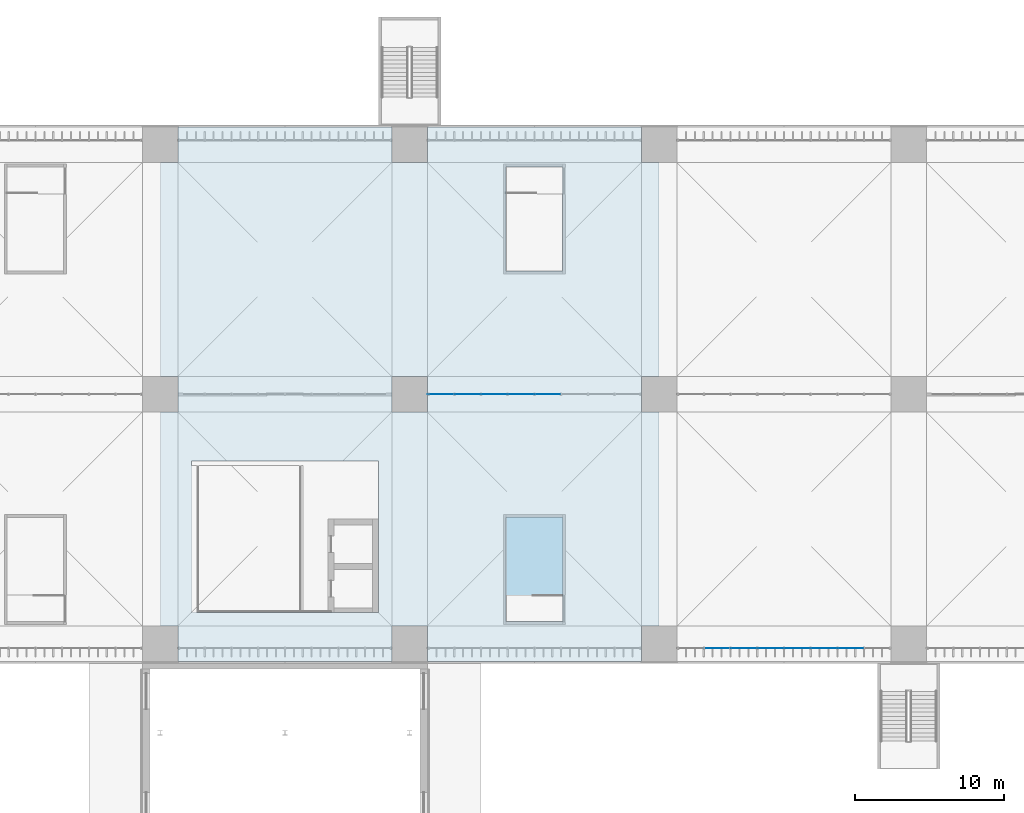
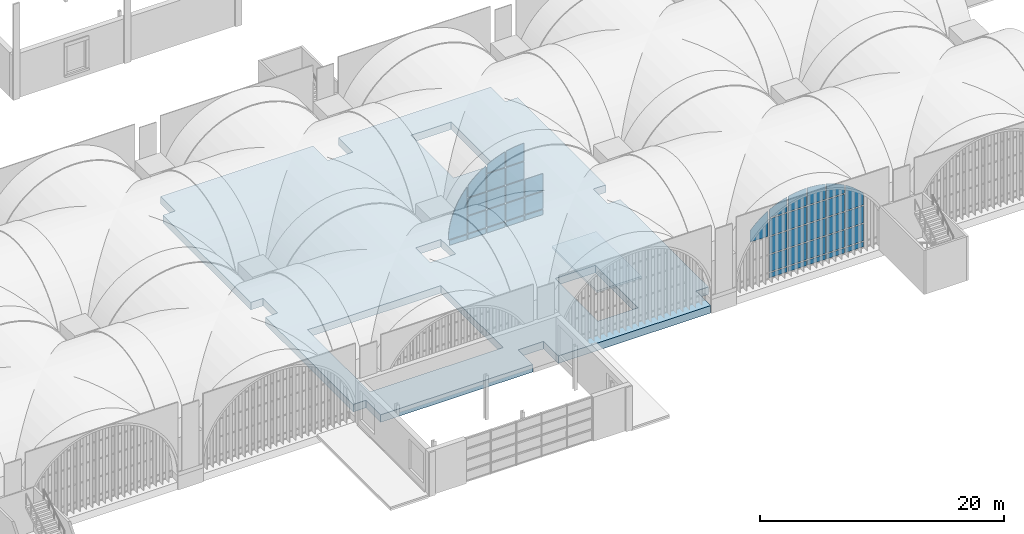
# One storey, part 84 of 169: 44 plates, 2 slabs, 2 elements without a shape of their own.
"""IFC4 building model written with IfcOpenShell, lengths in metres."""

from ifc_helpers import new_model, si_unit, direction, frame, origin, place, context, subcontext, project, spatial, polyline, outline, extrude, material, layer, layer_set, type_object, element, aggregate, save


model = new_model("IFC4")

# Units and contexts
model_context = context("Model", 3, precision=1e-05, world=origin(), true_north=direction((0.0, 1.0)))
body_context = subcontext(model_context, "Body", "Model", "MODEL_VIEW")
ifc_project = project(units=[si_unit("LENGTHUNIT", "METRE"), si_unit("AREAUNIT", "SQUARE_METRE"), si_unit("VOLUMEUNIT", "CUBIC_METRE"), si_unit("PLANEANGLEUNIT", "RADIAN"), si_unit("MASSUNIT", "GRAM", prefix="KILO")], contexts=[model_context])

# Site, building, storey
site_placement = place(None, origin())
site = spatial("IfcSite", under=ifc_project, at=site_placement, CompositionType="ELEMENT")
building_placement = place(site_placement, origin())
building = spatial("IfcBuilding", under=site, at=building_placement, Name="Verrick Yard Athletic Hall", CompositionType="ELEMENT")
storey_placement = place(building_placement, frame((0.0, 0.0, 4.39990234375)))
storey = spatial("IfcBuildingStorey", under=building, at=storey_placement, Name="L01", CompositionType="ELEMENT", Elevation=4.39990234375)

# Slab
ifc_material_1 = material(Name="Concrete 35 MPa", Category="concrete")
ifc_layer_1 = layer(ifc_material_1, 0.199951171875)
ifc_layer_set_1 = layer_set([ifc_layer_1], Name="Core roof slab 200")
slab_type_1 = type_object("IfcSlabType", Name="Core roof slab 200", PredefinedType="ROOF", material=ifc_layer_set_1)
slab_1_placement = place(storey_placement, frame((0.0, 0.0, 3.0)))
element("IfcSlab", 1, at=slab_1_placement, inside=storey, type_object=slab_type_1, Name="CORE-PS-S3-COVER", PredefinedType="ROOF", context=body_context, shape_type="SweptSolid", body=[
    extrude(outline(polyline([(113.5, 20.5), (117.699951171875, 20.5), (117.699951171875, 27.89990234375), (113.5, 27.89990234375), (113.5, 20.5)])), origin(), (0.0, 0.0, 1.0), 0.2001953125),
])

# Curtain wall, plates
ifc_material_2 = material(Name="Aluminium and glass curtain wall", Category="aluminium")
ifc_layer_2 = layer(ifc_material_2, 0.14990234375)
ifc_layer_set_2 = layer_set([ifc_layer_2], Name="Arcade glazing arch")
curtain_wall_type_1 = type_object("IfcCurtainWallType", Name="Arcade glazing arch", PredefinedType="NOTDEFINED", material=ifc_layer_set_2)
curtain_wall_1_placement = place(storey_placement, origin())
curtain_wall_1 = element("IfcCurtainWall", 2, at=curtain_wall_1_placement, inside=storey, type_object=curtain_wall_type_1, Name="Arcade glazing S6", PredefinedType="NOTDEFINED")
ifc_material_3 = material(Name="Laminated glass 28 mm", Category="glass")
ifc_layer_3 = layer(ifc_material_3, 0.028076171875)
ifc_layer_set_3 = layer_set([ifc_layer_3], Name="Curtain wall glass panel")
plate_type = type_object("IfcPlateType", Name="Curtain wall glass panel", PredefinedType="CURTAIN_PANEL", material=ifc_layer_set_3)
plate_1_placement = place(storey_placement, frame((125.199951171875, 18.89990234375, 4.30078125), z_axis=(0.0, 0.0, 1.0), x_axis=(1.0, 0.0, 0.0)))
plate_1 = element("IfcPlate", 3, at=plate_1_placement, type_object=plate_type, Name="Arcade glazing S6 panel 6", PredefinedType="CURTAIN_PANEL", context=body_context, shape_type="SweptSolid", body=[
    extrude(outline(polyline([(3.54931640625, 2.553955078125), (3.331298828125, 2.421630859375), (3.0703125, 2.247314453125), (2.81689453125, 2.0615234375), (2.572021484375, 1.86474609375), (2.335693359375, 1.65771484375), (2.10888671875, 1.4404296875), (1.8916015625, 1.213623046875), (1.850830078125, 1.1669921875), (1.850830078125, 0.0), (3.54931640625, 0.0), (3.54931640625, 2.553955078125)])), frame((0.0, 0.01416015625, 0.0), z_axis=(0.0, -1.0, 0.0), x_axis=(1.0, 0.0, 0.0)), (0.0, 0.0, 1.0), 0.028076171875),
])
plate_2_placement = place(storey_placement, frame((125.199951171875, 18.89990234375, 0.101806640625), z_axis=(0.0, 0.0, 1.0), x_axis=(1.0, 0.0, 0.0)))
plate_2 = element("IfcPlate", 4, at=plate_2_placement, type_object=plate_type, Name="Arcade glazing S6 panel 7", PredefinedType="CURTAIN_PANEL", context=body_context, shape_type="SweptSolid", body=[
    extrude(outline(polyline([(5.34912109375, 0.0), (5.34912109375, 0.49755859375), (3.65087890625, 0.49755859375), (3.65087890625, 0.0), (5.34912109375, 0.0)])), frame((0.0, 0.01416015625, 0.0), z_axis=(0.0, -1.0, 0.0), x_axis=(1.0, 0.0, 0.0)), (0.0, 0.0, 1.0), 0.028076171875),
])
plate_3_placement = place(storey_placement, frame((125.199951171875, 18.89990234375, 0.700927734375), z_axis=(0.0, 0.0, 1.0), x_axis=(1.0, 0.0, 0.0)))
plate_3 = element("IfcPlate", 5, at=plate_3_placement, type_object=plate_type, Name="Arcade glazing S6 panel 8", PredefinedType="CURTAIN_PANEL", context=body_context, shape_type="SweptSolid", body=[
    extrude(outline(polyline([(5.34912109375, 0.0), (5.34912109375, 1.698486328125), (3.65087890625, 1.698486328125), (3.65087890625, 0.0), (5.34912109375, 0.0)])), frame((0.0, 0.01416015625, 0.0), z_axis=(0.0, -1.0, 0.0), x_axis=(1.0, 0.0, 0.0)), (0.0, 0.0, 1.0), 0.028076171875),
])
plate_4_placement = place(storey_placement, frame((125.199951171875, 18.89990234375, 2.5009765625), z_axis=(0.0, 0.0, 1.0), x_axis=(1.0, 0.0, 0.0)))
plate_4 = element("IfcPlate", 6, at=plate_4_placement, type_object=plate_type, Name="Arcade glazing S6 panel 9", PredefinedType="CURTAIN_PANEL", context=body_context, shape_type="SweptSolid", body=[
    extrude(outline(polyline([(5.34912109375, 0.0), (5.34912109375, 1.6982421875), (3.65087890625, 1.6982421875), (3.65087890625, 0.0), (5.34912109375, 0.0)])), frame((0.0, 0.01416015625, 0.0), z_axis=(0.0, -1.0, 0.0), x_axis=(1.0, 0.0, 0.0)), (0.0, 0.0, 1.0), 0.028076171875),
])
plate_5_placement = place(storey_placement, frame((125.199951171875, 18.89990234375, 4.30078125), z_axis=(0.0, 0.0, 1.0), x_axis=(1.0, 0.0, 0.0)))
plate_5 = element("IfcPlate", 7, at=plate_5_placement, type_object=plate_type, Name="Arcade glazing S6 panel 10", PredefinedType="CURTAIN_PANEL", context=body_context, shape_type="SweptSolid", body=[
    extrude(outline(polyline([(5.34912109375, 0.0), (5.34912109375, 1.698486328125), (3.65087890625, 1.698486328125), (3.65087890625, 0.0), (5.34912109375, 0.0)])), frame((0.0, 0.01416015625, 0.0), z_axis=(0.0, -1.0, 0.0), x_axis=(1.0, 0.0, 0.0)), (0.0, 0.0, 1.0), 0.028076171875),
])
plate_6_placement = place(storey_placement, frame((125.199951171875, 18.89990234375, 6.100830078125), z_axis=(0.0, 0.0, 1.0), x_axis=(1.0, 0.0, 0.0)))
plate_6 = element("IfcPlate", 8, at=plate_6_placement, type_object=plate_type, Name="Arcade glazing S6 panel 11", PredefinedType="CURTAIN_PANEL", context=body_context, shape_type="SweptSolid", body=[
    extrude(outline(polyline([(5.34912109375, 1.507080078125), (5.33642578125, 1.50390625), (5.034912109375, 1.416015625), (4.737548828125, 1.315185546875), (4.444580078125, 1.201171875), (4.156982421875, 1.07470703125), (3.87548828125, 0.935791015625), (3.65087890625, 0.8125), (3.65087890625, 0.0), (5.34912109375, 0.0), (5.34912109375, 1.507080078125)])), frame((0.0, 0.01416015625, 0.0), z_axis=(0.0, -1.0, 0.0), x_axis=(1.0, 0.0, 0.0)), (0.0, 0.0, 1.0), 0.028076171875),
])
plate_7_placement = place(storey_placement, frame((125.199951171875, 18.89990234375, 0.101806640625), z_axis=(0.0, 0.0, 1.0), x_axis=(1.0, 0.0, 0.0)))
plate_7 = element("IfcPlate", 9, at=plate_7_placement, type_object=plate_type, Name="Arcade glazing S6 panel 12", PredefinedType="CURTAIN_PANEL", context=body_context, shape_type="SweptSolid", body=[
    extrude(outline(polyline([(7.149169921875, 0.0), (7.149169921875, 0.49755859375), (5.45068359375, 0.49755859375), (5.45068359375, 0.0), (7.149169921875, 0.0)])), frame((0.0, 0.01416015625, 0.0), z_axis=(0.0, -1.0, 0.0), x_axis=(1.0, 0.0, 0.0)), (0.0, 0.0, 1.0), 0.028076171875),
])
plate_8_placement = place(storey_placement, frame((125.199951171875, 18.89990234375, 0.700927734375), z_axis=(0.0, 0.0, 1.0), x_axis=(1.0, 0.0, 0.0)))
plate_8 = element("IfcPlate", 10, at=plate_8_placement, type_object=plate_type, Name="Arcade glazing S6 panel 13", PredefinedType="CURTAIN_PANEL", context=body_context, shape_type="SweptSolid", body=[
    extrude(outline(polyline([(7.149169921875, 0.0), (7.149169921875, 1.698486328125), (5.45068359375, 1.698486328125), (5.45068359375, 0.0), (7.149169921875, 0.0)])), frame((0.0, 0.01416015625, 0.0), z_axis=(0.0, -1.0, 0.0), x_axis=(1.0, 0.0, 0.0)), (0.0, 0.0, 1.0), 0.028076171875),
])
plate_9_placement = place(storey_placement, frame((125.199951171875, 18.89990234375, 2.5009765625), z_axis=(0.0, 0.0, 1.0), x_axis=(1.0, 0.0, 0.0)))
plate_9 = element("IfcPlate", 11, at=plate_9_placement, type_object=plate_type, Name="Arcade glazing S6 panel 14", PredefinedType="CURTAIN_PANEL", context=body_context, shape_type="SweptSolid", body=[
    extrude(outline(polyline([(7.149169921875, 0.0), (7.149169921875, 1.6982421875), (5.45068359375, 1.6982421875), (5.45068359375, 0.0), (7.149169921875, 0.0)])), frame((0.0, 0.01416015625, 0.0), z_axis=(0.0, -1.0, 0.0), x_axis=(1.0, 0.0, 0.0)), (0.0, 0.0, 1.0), 0.028076171875),
])
plate_10_placement = place(storey_placement, frame((125.199951171875, 18.89990234375, 4.30078125), z_axis=(0.0, 0.0, 1.0), x_axis=(1.0, 0.0, 0.0)))
plate_10 = element("IfcPlate", 12, at=plate_10_placement, type_object=plate_type, Name="Arcade glazing S6 panel 15", PredefinedType="CURTAIN_PANEL", context=body_context, shape_type="SweptSolid", body=[
    extrude(outline(polyline([(7.149169921875, 0.0), (7.149169921875, 1.698486328125), (5.45068359375, 1.698486328125), (5.45068359375, 0.0), (7.149169921875, 0.0)])), frame((0.0, 0.01416015625, 0.0), z_axis=(0.0, -1.0, 0.0), x_axis=(1.0, 0.0, 0.0)), (0.0, 0.0, 1.0), 0.028076171875),
])
plate_11_placement = place(storey_placement, frame((125.199951171875, 18.89990234375, 6.100830078125), z_axis=(0.0, 0.0, 1.0), x_axis=(1.0, 0.0, 0.0)))
plate_11 = element("IfcPlate", 13, at=plate_11_placement, type_object=plate_type, Name="Arcade glazing S6 panel 16", PredefinedType="CURTAIN_PANEL", context=body_context, shape_type="SweptSolid", body=[
    extrude(outline(polyline([(7.149169921875, 1.748046875), (6.885986328125, 1.742431640625), (6.572509765625, 1.721923828125), (6.26025390625, 1.687744140625), (5.94970703125, 1.639892578125), (5.6416015625, 1.57861328125), (5.45068359375, 1.531982421875), (5.45068359375, 0.0), (7.149169921875, 0.0), (7.149169921875, 1.748046875)])), frame((0.0, 0.01416015625, 0.0), z_axis=(0.0, -1.0, 0.0), x_axis=(1.0, 0.0, 0.0)), (0.0, 0.0, 1.0), 0.028076171875),
])
plate_12_placement = place(storey_placement, frame((125.199951171875, 18.89990234375, 0.101806640625), z_axis=(0.0, 0.0, 1.0), x_axis=(1.0, 0.0, 0.0)))
plate_12 = element("IfcPlate", 14, at=plate_12_placement, type_object=plate_type, Name="Arcade glazing S6 panel 17", PredefinedType="CURTAIN_PANEL", context=body_context, shape_type="SweptSolid", body=[
    extrude(outline(polyline([(8.94921875, 0.0), (8.94921875, 0.49755859375), (7.250732421875, 0.49755859375), (7.250732421875, 0.0), (8.94921875, 0.0)])), frame((0.0, 0.01416015625, 0.0), z_axis=(0.0, -1.0, 0.0), x_axis=(1.0, 0.0, 0.0)), (0.0, 0.0, 1.0), 0.028076171875),
])
plate_13_placement = place(storey_placement, frame((125.199951171875, 18.89990234375, 0.700927734375), z_axis=(0.0, 0.0, 1.0), x_axis=(1.0, 0.0, 0.0)))
plate_13 = element("IfcPlate", 15, at=plate_13_placement, type_object=plate_type, Name="Arcade glazing S6 panel 18", PredefinedType="CURTAIN_PANEL", context=body_context, shape_type="SweptSolid", body=[
    extrude(outline(polyline([(8.94921875, 0.0), (8.94921875, 1.698486328125), (7.250732421875, 1.698486328125), (7.250732421875, 0.0), (8.94921875, 0.0)])), frame((0.0, 0.01416015625, 0.0), z_axis=(0.0, -1.0, 0.0), x_axis=(1.0, 0.0, 0.0)), (0.0, 0.0, 1.0), 0.028076171875),
])
plate_14_placement = place(storey_placement, frame((125.199951171875, 18.89990234375, 2.5009765625), z_axis=(0.0, 0.0, 1.0), x_axis=(1.0, 0.0, 0.0)))
plate_14 = element("IfcPlate", 16, at=plate_14_placement, type_object=plate_type, Name="Arcade glazing S6 panel 19", PredefinedType="CURTAIN_PANEL", context=body_context, shape_type="SweptSolid", body=[
    extrude(outline(polyline([(8.94921875, 0.0), (8.94921875, 1.6982421875), (7.250732421875, 1.6982421875), (7.250732421875, 0.0), (8.94921875, 0.0)])), frame((0.0, 0.01416015625, 0.0), z_axis=(0.0, -1.0, 0.0), x_axis=(1.0, 0.0, 0.0)), (0.0, 0.0, 1.0), 0.028076171875),
])
plate_15_placement = place(storey_placement, frame((125.199951171875, 18.89990234375, 4.30078125), z_axis=(0.0, 0.0, 1.0), x_axis=(1.0, 0.0, 0.0)))
plate_15 = element("IfcPlate", 17, at=plate_15_placement, type_object=plate_type, Name="Arcade glazing S6 panel 20", PredefinedType="CURTAIN_PANEL", context=body_context, shape_type="SweptSolid", body=[
    extrude(outline(polyline([(8.94921875, 0.0), (8.94921875, 1.698486328125), (7.250732421875, 1.698486328125), (7.250732421875, 0.0), (8.94921875, 0.0)])), frame((0.0, 0.01416015625, 0.0), z_axis=(0.0, -1.0, 0.0), x_axis=(1.0, 0.0, 0.0)), (0.0, 0.0, 1.0), 0.028076171875),
])
plate_16_placement = place(storey_placement, frame((125.199951171875, 18.89990234375, 6.100830078125), z_axis=(0.0, 0.0, 1.0), x_axis=(1.0, 0.0, 0.0)))
plate_16 = element("IfcPlate", 18, at=plate_16_placement, type_object=plate_type, Name="Arcade glazing S6 panel 21", PredefinedType="CURTAIN_PANEL", context=body_context, shape_type="SweptSolid", body=[
    extrude(outline(polyline([(8.94921875, 1.531982421875), (8.75830078125, 1.57861328125), (8.4501953125, 1.639892578125), (8.139892578125, 1.687744140625), (7.827392578125, 1.721923828125), (7.51416015625, 1.742431640625), (7.250732421875, 1.748046875), (7.250732421875, 0.0), (8.94921875, 0.0), (8.94921875, 1.531982421875)])), frame((0.0, 0.01416015625, 0.0), z_axis=(0.0, -1.0, 0.0), x_axis=(1.0, 0.0, 0.0)), (0.0, 0.0, 1.0), 0.028076171875),
])
plate_17_placement = place(storey_placement, frame((125.199951171875, 18.89990234375, 0.101806640625), z_axis=(0.0, 0.0, 1.0), x_axis=(1.0, 0.0, 0.0)))
plate_17 = element("IfcPlate", 19, at=plate_17_placement, type_object=plate_type, Name="Arcade glazing S6 panel 22", PredefinedType="CURTAIN_PANEL", context=body_context, shape_type="SweptSolid", body=[
    extrude(outline(polyline([(10.749267578125, 0.0), (10.749267578125, 0.49755859375), (9.05078125, 0.49755859375), (9.05078125, 0.0), (10.749267578125, 0.0)])), frame((0.0, 0.01416015625, 0.0), z_axis=(0.0, -1.0, 0.0), x_axis=(1.0, 0.0, 0.0)), (0.0, 0.0, 1.0), 0.028076171875),
])
plate_18_placement = place(storey_placement, frame((125.199951171875, 18.89990234375, 0.700927734375), z_axis=(0.0, 0.0, 1.0), x_axis=(1.0, 0.0, 0.0)))
plate_18 = element("IfcPlate", 20, at=plate_18_placement, type_object=plate_type, Name="Arcade glazing S6 panel 23", PredefinedType="CURTAIN_PANEL", context=body_context, shape_type="SweptSolid", body=[
    extrude(outline(polyline([(10.749267578125, 0.0), (10.749267578125, 1.698486328125), (9.05078125, 1.698486328125), (9.05078125, 0.0), (10.749267578125, 0.0)])), frame((0.0, 0.01416015625, 0.0), z_axis=(0.0, -1.0, 0.0), x_axis=(1.0, 0.0, 0.0)), (0.0, 0.0, 1.0), 0.028076171875),
])
plate_19_placement = place(storey_placement, frame((125.199951171875, 18.89990234375, 2.5009765625), z_axis=(0.0, 0.0, 1.0), x_axis=(1.0, 0.0, 0.0)))
plate_19 = element("IfcPlate", 21, at=plate_19_placement, type_object=plate_type, Name="Arcade glazing S6 panel 24", PredefinedType="CURTAIN_PANEL", context=body_context, shape_type="SweptSolid", body=[
    extrude(outline(polyline([(10.749267578125, 0.0), (10.749267578125, 1.6982421875), (9.05078125, 1.6982421875), (9.05078125, 0.0), (10.749267578125, 0.0)])), frame((0.0, 0.01416015625, 0.0), z_axis=(0.0, -1.0, 0.0), x_axis=(1.0, 0.0, 0.0)), (0.0, 0.0, 1.0), 0.028076171875),
])
plate_20_placement = place(storey_placement, frame((125.199951171875, 18.89990234375, 4.30078125), z_axis=(0.0, 0.0, 1.0), x_axis=(1.0, 0.0, 0.0)))
plate_20 = element("IfcPlate", 22, at=plate_20_placement, type_object=plate_type, Name="Arcade glazing S6 panel 25", PredefinedType="CURTAIN_PANEL", context=body_context, shape_type="SweptSolid", body=[
    extrude(outline(polyline([(10.749267578125, 0.0), (10.749267578125, 1.698486328125), (9.05078125, 1.698486328125), (9.05078125, 0.0), (10.749267578125, 0.0)])), frame((0.0, 0.01416015625, 0.0), z_axis=(0.0, -1.0, 0.0), x_axis=(1.0, 0.0, 0.0)), (0.0, 0.0, 1.0), 0.028076171875),
])
plate_21_placement = place(storey_placement, frame((125.199951171875, 18.89990234375, 6.100830078125), z_axis=(0.0, 0.0, 1.0), x_axis=(1.0, 0.0, 0.0)))
plate_21 = element("IfcPlate", 23, at=plate_21_placement, type_object=plate_type, Name="Arcade glazing S6 panel 26", PredefinedType="CURTAIN_PANEL", context=body_context, shape_type="SweptSolid", body=[
    extrude(outline(polyline([(10.749267578125, 0.8125), (10.524658203125, 0.935791015625), (10.242919921875, 1.07470703125), (9.955322265625, 1.201171875), (9.66259765625, 1.315185546875), (9.364990234375, 1.416015625), (9.0634765625, 1.50390625), (9.05078125, 1.507080078125), (9.05078125, 0.0), (10.749267578125, 0.0), (10.749267578125, 0.8125)])), frame((0.0, 0.01416015625, 0.0), z_axis=(0.0, -1.0, 0.0), x_axis=(1.0, 0.0, 0.0)), (0.0, 0.0, 1.0), 0.028076171875),
])
plate_22_placement = place(storey_placement, frame((125.199951171875, 18.89990234375, 0.101806640625), z_axis=(0.0, 0.0, 1.0), x_axis=(1.0, 0.0, 0.0)))
plate_22 = element("IfcPlate", 24, at=plate_22_placement, type_object=plate_type, Name="Arcade glazing S6 panel 27", PredefinedType="CURTAIN_PANEL", context=body_context, shape_type="SweptSolid", body=[
    extrude(outline(polyline([(12.54931640625, 0.0), (12.54931640625, 0.49755859375), (10.850830078125, 0.49755859375), (10.850830078125, 0.0), (12.54931640625, 0.0)])), frame((0.0, 0.01416015625, 0.0), z_axis=(0.0, -1.0, 0.0), x_axis=(1.0, 0.0, 0.0)), (0.0, 0.0, 1.0), 0.028076171875),
])
plate_23_placement = place(storey_placement, frame((125.199951171875, 18.89990234375, 0.700927734375), z_axis=(0.0, 0.0, 1.0), x_axis=(1.0, 0.0, 0.0)))
plate_23 = element("IfcPlate", 25, at=plate_23_placement, type_object=plate_type, Name="Arcade glazing S6 panel 28", PredefinedType="CURTAIN_PANEL", context=body_context, shape_type="SweptSolid", body=[
    extrude(outline(polyline([(12.54931640625, 0.0), (12.54931640625, 1.698486328125), (10.850830078125, 1.698486328125), (10.850830078125, 0.0), (12.54931640625, 0.0)])), frame((0.0, 0.01416015625, 0.0), z_axis=(0.0, -1.0, 0.0), x_axis=(1.0, 0.0, 0.0)), (0.0, 0.0, 1.0), 0.028076171875),
])
plate_24_placement = place(storey_placement, frame((125.199951171875, 18.89990234375, 2.5009765625), z_axis=(0.0, 0.0, 1.0), x_axis=(1.0, 0.0, 0.0)))
plate_24 = element("IfcPlate", 26, at=plate_24_placement, type_object=plate_type, Name="Arcade glazing S6 panel 29", PredefinedType="CURTAIN_PANEL", context=body_context, shape_type="SweptSolid", body=[
    extrude(outline(polyline([(12.54931640625, 0.0), (12.54931640625, 1.6982421875), (10.850830078125, 1.6982421875), (10.850830078125, 0.0), (12.54931640625, 0.0)])), frame((0.0, 0.01416015625, 0.0), z_axis=(0.0, -1.0, 0.0), x_axis=(1.0, 0.0, 0.0)), (0.0, 0.0, 1.0), 0.028076171875),
])
plate_25_placement = place(storey_placement, frame((125.199951171875, 18.89990234375, 4.30078125), z_axis=(0.0, 0.0, 1.0), x_axis=(1.0, 0.0, 0.0)))
plate_25 = element("IfcPlate", 27, at=plate_25_placement, type_object=plate_type, Name="Arcade glazing S6 panel 30", PredefinedType="CURTAIN_PANEL", context=body_context, shape_type="SweptSolid", body=[
    extrude(outline(polyline([(12.54931640625, 1.1669921875), (12.50830078125, 1.213623046875), (12.291259765625, 1.4404296875), (12.064208984375, 1.65771484375), (11.828125, 1.86474609375), (11.5830078125, 2.0615234375), (11.329833984375, 2.247314453125), (11.068603515625, 2.421630859375), (10.850830078125, 2.553955078125), (10.850830078125, 0.0), (12.54931640625, 0.0), (12.54931640625, 1.1669921875)])), frame((0.0, 0.01416015625, 0.0), z_axis=(0.0, -1.0, 0.0), x_axis=(1.0, 0.0, 0.0)), (0.0, 0.0, 1.0), 0.028076171875),
])
aggregate(curtain_wall_1, [plate_1, plate_2, plate_3, plate_4, plate_5, plate_6, plate_7, plate_8, plate_9, plate_10, plate_11, plate_12, plate_13, plate_14, plate_15, plate_16, plate_17, plate_18, plate_19, plate_20, plate_21, plate_22, plate_23, plate_24, plate_25])

ifc_layer_4 = layer(ifc_material_2, 0.14990234375)
ifc_layer_set_4 = layer_set([ifc_layer_4], Name="Concourse arch screen")
curtain_wall_type_2 = type_object("IfcCurtainWallType", Name="Concourse arch screen", PredefinedType="NOTDEFINED", material=ifc_layer_set_4)
curtain_wall_2_placement = place(storey_placement, origin())
curtain_wall_2 = element("IfcCurtainWall", 28, at=curtain_wall_2_placement, inside=storey, type_object=curtain_wall_type_2, Name="Concourse screen 5", PredefinedType="NOTDEFINED")
plate_26_placement = place(storey_placement, frame((108.39990234375, 36.0, 0.101806640625), z_axis=(0.0, 0.0, 1.0), x_axis=(1.0, 0.0, 0.0)))
plate_26 = element("IfcPlate", 29, at=plate_26_placement, type_object=plate_type, Name="Concourse screen 5 panel 1", PredefinedType="CURTAIN_PANEL", context=body_context, shape_type="SweptSolid", body=[
    extrude(outline(polyline([(1.749267578125, 0.0), (1.749267578125, 0.49755859375), (0.10205078125, 0.49755859375), (0.10205078125, 0.0), (1.749267578125, 0.0)])), frame((0.0, 0.01416015625, 0.0), z_axis=(0.0, -1.0, 0.0), x_axis=(1.0, 0.0, 0.0)), (0.0, 0.0, 1.0), 0.028076171875),
])
plate_27_placement = place(storey_placement, frame((108.39990234375, 36.0, 0.700927734375), z_axis=(0.0, 0.0, 1.0), x_axis=(1.0, 0.0, 0.0)))
plate_27 = element("IfcPlate", 30, at=plate_27_placement, type_object=plate_type, Name="Concourse screen 5 panel 2", PredefinedType="CURTAIN_PANEL", context=body_context, shape_type="SweptSolid", body=[
    extrude(outline(polyline([(1.749267578125, 4.651123046875), (1.6845703125, 4.5771484375), (1.48779296875, 4.332275390625), (1.302001953125, 4.078857421875), (1.127685546875, 3.81787109375), (0.964599609375, 3.549072265625), (0.8134765625, 3.273681640625), (0.674560546875, 2.9921875), (0.548095703125, 2.70458984375), (0.43408203125, 2.41162109375), (0.333251953125, 2.1142578125), (0.245361328125, 1.812744140625), (0.170654296875, 1.507568359375), (0.109375, 1.199462890625), (0.0615234375, 0.888916015625), (0.02734375, 0.57666015625), (0.0068359375, 0.26318359375), (0.001220703125, 0.0), (1.749267578125, 0.0), (1.749267578125, 4.651123046875)])), frame((0.0, 0.01416015625, 0.0), z_axis=(0.0, -1.0, 0.0), x_axis=(1.0, 0.0, 0.0)), (0.0, 0.0, 1.0), 0.028076171875),
])
plate_28_placement = place(storey_placement, frame((108.39990234375, 36.0, 0.101806640625), z_axis=(0.0, 0.0, 1.0), x_axis=(1.0, 0.0, 0.0)))
plate_28 = element("IfcPlate", 31, at=plate_28_placement, type_object=plate_type, Name="Concourse screen 5 panel 3", PredefinedType="CURTAIN_PANEL", context=body_context, shape_type="SweptSolid", body=[
    extrude(outline(polyline([(3.54931640625, 0.0), (3.54931640625, 0.49755859375), (1.850830078125, 0.49755859375), (1.850830078125, 0.0), (3.54931640625, 0.0)])), frame((0.0, 0.01416015625, 0.0), z_axis=(0.0, -1.0, 0.0), x_axis=(1.0, 0.0, 0.0)), (0.0, 0.0, 1.0), 0.028076171875),
])
plate_29_placement = place(storey_placement, frame((108.39990234375, 36.0, 0.700927734375), z_axis=(0.0, 0.0, 1.0), x_axis=(1.0, 0.0, 0.0)))
plate_29 = element("IfcPlate", 32, at=plate_29_placement, type_object=plate_type, Name="Concourse screen 5 panel 4", PredefinedType="CURTAIN_PANEL", context=body_context, shape_type="SweptSolid", body=[
    extrude(outline(polyline([(3.54931640625, 0.0), (3.54931640625, 1.698486328125), (1.850830078125, 1.698486328125), (1.850830078125, 0.0), (3.54931640625, 0.0)])), frame((0.0, 0.01416015625, 0.0), z_axis=(0.0, -1.0, 0.0), x_axis=(1.0, 0.0, 0.0)), (0.0, 0.0, 1.0), 0.028076171875),
])
plate_30_placement = place(storey_placement, frame((108.39990234375, 36.0, 2.5009765625), z_axis=(0.0, 0.0, 1.0), x_axis=(1.0, 0.0, 0.0)))
plate_30 = element("IfcPlate", 33, at=plate_30_placement, type_object=plate_type, Name="Concourse screen 5 panel 5", PredefinedType="CURTAIN_PANEL", context=body_context, shape_type="SweptSolid", body=[
    extrude(outline(polyline([(3.54931640625, 0.0), (3.54931640625, 1.6982421875), (1.850830078125, 1.6982421875), (1.850830078125, 0.0), (3.54931640625, 0.0)])), frame((0.0, 0.01416015625, 0.0), z_axis=(0.0, -1.0, 0.0), x_axis=(1.0, 0.0, 0.0)), (0.0, 0.0, 1.0), 0.028076171875),
])
plate_31_placement = place(storey_placement, frame((108.39990234375, 36.0, 4.30078125), z_axis=(0.0, 0.0, 1.0), x_axis=(1.0, 0.0, 0.0)))
plate_31 = element("IfcPlate", 34, at=plate_31_placement, type_object=plate_type, Name="Concourse screen 5 panel 6", PredefinedType="CURTAIN_PANEL", context=body_context, shape_type="SweptSolid", body=[
    extrude(outline(polyline([(3.54931640625, 2.553955078125), (3.331298828125, 2.421630859375), (3.0703125, 2.247314453125), (2.81689453125, 2.0615234375), (2.572021484375, 1.86474609375), (2.335693359375, 1.65771484375), (2.10888671875, 1.4404296875), (1.8916015625, 1.213623046875), (1.850830078125, 1.1669921875), (1.850830078125, 0.0), (3.54931640625, 0.0), (3.54931640625, 2.553955078125)])), frame((0.0, 0.01416015625, 0.0), z_axis=(0.0, -1.0, 0.0), x_axis=(1.0, 0.0, 0.0)), (0.0, 0.0, 1.0), 0.028076171875),
])
plate_32_placement = place(storey_placement, frame((108.39990234375, 36.0, 0.101806640625), z_axis=(0.0, 0.0, 1.0), x_axis=(1.0, 0.0, 0.0)))
plate_32 = element("IfcPlate", 35, at=plate_32_placement, type_object=plate_type, Name="Concourse screen 5 panel 7", PredefinedType="CURTAIN_PANEL", context=body_context, shape_type="SweptSolid", body=[
    extrude(outline(polyline([(5.34912109375, 0.0), (5.34912109375, 0.49755859375), (3.65087890625, 0.49755859375), (3.65087890625, 0.0), (5.34912109375, 0.0)])), frame((0.0, 0.01416015625, 0.0), z_axis=(0.0, -1.0, 0.0), x_axis=(1.0, 0.0, 0.0)), (0.0, 0.0, 1.0), 0.028076171875),
])
plate_33_placement = place(storey_placement, frame((108.39990234375, 36.0, 0.700927734375), z_axis=(0.0, 0.0, 1.0), x_axis=(1.0, 0.0, 0.0)))
plate_33 = element("IfcPlate", 36, at=plate_33_placement, type_object=plate_type, Name="Concourse screen 5 panel 8", PredefinedType="CURTAIN_PANEL", context=body_context, shape_type="SweptSolid", body=[
    extrude(outline(polyline([(5.34912109375, 0.0), (5.34912109375, 1.698486328125), (3.65087890625, 1.698486328125), (3.65087890625, 0.0), (5.34912109375, 0.0)])), frame((0.0, 0.01416015625, 0.0), z_axis=(0.0, -1.0, 0.0), x_axis=(1.0, 0.0, 0.0)), (0.0, 0.0, 1.0), 0.028076171875),
])
plate_34_placement = place(storey_placement, frame((108.39990234375, 36.0, 2.5009765625), z_axis=(0.0, 0.0, 1.0), x_axis=(1.0, 0.0, 0.0)))
plate_34 = element("IfcPlate", 37, at=plate_34_placement, type_object=plate_type, Name="Concourse screen 5 panel 9", PredefinedType="CURTAIN_PANEL", context=body_context, shape_type="SweptSolid", body=[
    extrude(outline(polyline([(5.34912109375, 0.0), (5.34912109375, 1.6982421875), (3.65087890625, 1.6982421875), (3.65087890625, 0.0), (5.34912109375, 0.0)])), frame((0.0, 0.01416015625, 0.0), z_axis=(0.0, -1.0, 0.0), x_axis=(1.0, 0.0, 0.0)), (0.0, 0.0, 1.0), 0.028076171875),
])
plate_35_placement = place(storey_placement, frame((108.39990234375, 36.0, 4.30078125), z_axis=(0.0, 0.0, 1.0), x_axis=(1.0, 0.0, 0.0)))
plate_35 = element("IfcPlate", 38, at=plate_35_placement, type_object=plate_type, Name="Concourse screen 5 panel 10", PredefinedType="CURTAIN_PANEL", context=body_context, shape_type="SweptSolid", body=[
    extrude(outline(polyline([(5.34912109375, 0.0), (5.34912109375, 1.698486328125), (3.65087890625, 1.698486328125), (3.65087890625, 0.0), (5.34912109375, 0.0)])), frame((0.0, 0.01416015625, 0.0), z_axis=(0.0, -1.0, 0.0), x_axis=(1.0, 0.0, 0.0)), (0.0, 0.0, 1.0), 0.028076171875),
])
plate_36_placement = place(storey_placement, frame((108.39990234375, 36.0, 6.100830078125), z_axis=(0.0, 0.0, 1.0), x_axis=(1.0, 0.0, 0.0)))
plate_36 = element("IfcPlate", 39, at=plate_36_placement, type_object=plate_type, Name="Concourse screen 5 panel 11", PredefinedType="CURTAIN_PANEL", context=body_context, shape_type="SweptSolid", body=[
    extrude(outline(polyline([(5.34912109375, 1.507080078125), (5.33642578125, 1.50390625), (5.034912109375, 1.416015625), (4.737548828125, 1.315185546875), (4.444580078125, 1.201171875), (4.156982421875, 1.07470703125), (3.87548828125, 0.935791015625), (3.65087890625, 0.8125), (3.65087890625, 0.0), (5.34912109375, 0.0), (5.34912109375, 1.507080078125)])), frame((0.0, 0.01416015625, 0.0), z_axis=(0.0, -1.0, 0.0), x_axis=(1.0, 0.0, 0.0)), (0.0, 0.0, 1.0), 0.028076171875),
])
plate_37_placement = place(storey_placement, frame((108.39990234375, 36.0, 0.101806640625), z_axis=(0.0, 0.0, 1.0), x_axis=(1.0, 0.0, 0.0)))
plate_37 = element("IfcPlate", 40, at=plate_37_placement, type_object=plate_type, Name="Concourse screen 5 panel 12", PredefinedType="CURTAIN_PANEL", context=body_context, shape_type="SweptSolid", body=[
    extrude(outline(polyline([(7.149169921875, 0.0), (7.149169921875, 0.49755859375), (5.45068359375, 0.49755859375), (5.45068359375, 0.0), (7.149169921875, 0.0)])), frame((0.0, 0.01416015625, 0.0), z_axis=(0.0, -1.0, 0.0), x_axis=(1.0, 0.0, 0.0)), (0.0, 0.0, 1.0), 0.028076171875),
])
plate_38_placement = place(storey_placement, frame((108.39990234375, 36.0, 0.700927734375), z_axis=(0.0, 0.0, 1.0), x_axis=(1.0, 0.0, 0.0)))
plate_38 = element("IfcPlate", 41, at=plate_38_placement, type_object=plate_type, Name="Concourse screen 5 panel 13", PredefinedType="CURTAIN_PANEL", context=body_context, shape_type="SweptSolid", body=[
    extrude(outline(polyline([(7.149169921875, 0.0), (7.149169921875, 1.698486328125), (5.45068359375, 1.698486328125), (5.45068359375, 0.0), (7.149169921875, 0.0)])), frame((0.0, 0.01416015625, 0.0), z_axis=(0.0, -1.0, 0.0), x_axis=(1.0, 0.0, 0.0)), (0.0, 0.0, 1.0), 0.028076171875),
])
plate_39_placement = place(storey_placement, frame((108.39990234375, 36.0, 2.5009765625), z_axis=(0.0, 0.0, 1.0), x_axis=(1.0, 0.0, 0.0)))
plate_39 = element("IfcPlate", 42, at=plate_39_placement, type_object=plate_type, Name="Concourse screen 5 panel 14", PredefinedType="CURTAIN_PANEL", context=body_context, shape_type="SweptSolid", body=[
    extrude(outline(polyline([(7.149169921875, 0.0), (7.149169921875, 1.6982421875), (5.45068359375, 1.6982421875), (5.45068359375, 0.0), (7.149169921875, 0.0)])), frame((0.0, 0.01416015625, 0.0), z_axis=(0.0, -1.0, 0.0), x_axis=(1.0, 0.0, 0.0)), (0.0, 0.0, 1.0), 0.028076171875),
])
plate_40_placement = place(storey_placement, frame((108.39990234375, 36.0, 4.30078125), z_axis=(0.0, 0.0, 1.0), x_axis=(1.0, 0.0, 0.0)))
plate_40 = element("IfcPlate", 43, at=plate_40_placement, type_object=plate_type, Name="Concourse screen 5 panel 15", PredefinedType="CURTAIN_PANEL", context=body_context, shape_type="SweptSolid", body=[
    extrude(outline(polyline([(7.149169921875, 0.0), (7.149169921875, 1.698486328125), (5.45068359375, 1.698486328125), (5.45068359375, 0.0), (7.149169921875, 0.0)])), frame((0.0, 0.01416015625, 0.0), z_axis=(0.0, -1.0, 0.0), x_axis=(1.0, 0.0, 0.0)), (0.0, 0.0, 1.0), 0.028076171875),
])
plate_41_placement = place(storey_placement, frame((108.39990234375, 36.0, 6.100830078125), z_axis=(0.0, 0.0, 1.0), x_axis=(1.0, 0.0, 0.0)))
plate_41 = element("IfcPlate", 44, at=plate_41_placement, type_object=plate_type, Name="Concourse screen 5 panel 16", PredefinedType="CURTAIN_PANEL", context=body_context, shape_type="SweptSolid", body=[
    extrude(outline(polyline([(7.149169921875, 1.748046875), (6.885986328125, 1.742431640625), (6.572509765625, 1.721923828125), (6.26025390625, 1.687744140625), (5.94970703125, 1.639892578125), (5.6416015625, 1.57861328125), (5.45068359375, 1.531982421875), (5.45068359375, 0.0), (7.149169921875, 0.0), (7.149169921875, 1.748046875)])), frame((0.0, 0.01416015625, 0.0), z_axis=(0.0, -1.0, 0.0), x_axis=(1.0, 0.0, 0.0)), (0.0, 0.0, 1.0), 0.028076171875),
])
plate_42_placement = place(storey_placement, frame((108.39990234375, 36.0, 0.101806640625), z_axis=(0.0, 0.0, 1.0), x_axis=(1.0, 0.0, 0.0)))
plate_42 = element("IfcPlate", 45, at=plate_42_placement, type_object=plate_type, Name="Concourse screen 5 panel 17", PredefinedType="CURTAIN_PANEL", context=body_context, shape_type="SweptSolid", body=[
    extrude(outline(polyline([(8.94921875, 0.0), (8.94921875, 0.49755859375), (7.250732421875, 0.49755859375), (7.250732421875, 0.0), (8.94921875, 0.0)])), frame((0.0, 0.01416015625, 0.0), z_axis=(0.0, -1.0, 0.0), x_axis=(1.0, 0.0, 0.0)), (0.0, 0.0, 1.0), 0.028076171875),
])
plate_43_placement = place(storey_placement, frame((108.39990234375, 36.0, 0.700927734375), z_axis=(0.0, 0.0, 1.0), x_axis=(1.0, 0.0, 0.0)))
plate_43 = element("IfcPlate", 46, at=plate_43_placement, type_object=plate_type, Name="Concourse screen 5 panel 18", PredefinedType="CURTAIN_PANEL", context=body_context, shape_type="SweptSolid", body=[
    extrude(outline(polyline([(8.94921875, 0.0), (8.94921875, 1.698486328125), (7.250732421875, 1.698486328125), (7.250732421875, 0.0), (8.94921875, 0.0)])), frame((0.0, 0.01416015625, 0.0), z_axis=(0.0, -1.0, 0.0), x_axis=(1.0, 0.0, 0.0)), (0.0, 0.0, 1.0), 0.028076171875),
])
plate_44_placement = place(storey_placement, frame((108.39990234375, 36.0, 2.5009765625), z_axis=(0.0, 0.0, 1.0), x_axis=(1.0, 0.0, 0.0)))
plate_44 = element("IfcPlate", 47, at=plate_44_placement, type_object=plate_type, Name="Concourse screen 5 panel 19", PredefinedType="CURTAIN_PANEL", context=body_context, shape_type="SweptSolid", body=[
    extrude(outline(polyline([(8.94921875, 0.0), (8.94921875, 1.6982421875), (7.250732421875, 1.6982421875), (7.250732421875, 0.0), (8.94921875, 0.0)])), frame((0.0, 0.01416015625, 0.0), z_axis=(0.0, -1.0, 0.0), x_axis=(1.0, 0.0, 0.0)), (0.0, 0.0, 1.0), 0.028076171875),
])
aggregate(curtain_wall_2, [plate_26, plate_27, plate_28, plate_29, plate_30, plate_31, plate_32, plate_33, plate_34, plate_35, plate_36, plate_37, plate_38, plate_39, plate_40, plate_41, plate_42, plate_43, plate_44])

# Slab
ifc_layer_5 = layer(ifc_material_1, 0.75)
ifc_layer_set_5 = layer_set([ifc_layer_5], Name="STR Flat slab SL2")
slab_type_2 = type_object("IfcSlabType", Name="STR Flat slab SL2", PredefinedType="FLOOR", material=ifc_layer_set_5)
slab_2_placement = place(storey_placement, frame((0.0, 0.0, -0.75)))
element("IfcSlab", 48, at=slab_2_placement, inside=storey, type_object=slab_type_2, Name="STR-SL-L01-Z2B", PredefinedType="FLOOR", context=body_context, shape_type="SweptSolid", body=[
    extrude(outline(polyline([(122.800048828125, 20.39990234375), (123.97509765625, 20.39990234375), (123.97509765625, 34.800048828125), (122.800048828125, 34.800048828125), (122.800048828125, 37.199951171875), (123.97509765625, 37.199951171875), (123.97509765625, 51.60009765625), (122.800048828125, 51.60009765625), (122.800048828125, 54.0), (108.39990234375, 54.0), (108.39990234375, 51.60009765625), (106.0, 51.60009765625), (106.0, 54.0), (91.60009765625, 54.0), (91.60009765625, 51.60009765625), (90.425048828125, 51.60009765625), (90.425048828125, 37.199951171875), (91.60009765625, 37.199951171875), (91.60009765625, 34.800048828125), (90.425048828125, 34.800048828125), (90.425048828125, 20.39990234375), (91.60009765625, 20.39990234375), (91.60009765625, 18.0), (106.0, 18.0), (106.0, 20.39990234375), (108.39990234375, 20.39990234375), (108.39990234375, 18.0), (122.800048828125, 18.0), (122.800048828125, 20.39990234375)]), holes=[polyline([(108.39990234375, 37.199951171875), (108.39990234375, 34.800048828125), (106.0, 34.800048828125), (106.0, 37.199951171875), (108.39990234375, 37.199951171875)]), polyline([(113.699951171875, 20.699951171875), (113.699951171875, 27.699951171875), (117.5, 27.699951171875), (117.5, 20.699951171875), (113.699951171875, 20.699951171875)]), polyline([(92.5, 21.300048828125), (92.5, 31.5), (105.10009765625, 31.5), (105.10009765625, 21.300048828125), (92.5, 21.300048828125)]), polyline([(113.699951171875, 44.300048828125), (113.699951171875, 51.300048828125), (117.5, 51.300048828125), (117.5, 44.300048828125), (113.699951171875, 44.300048828125)])]), origin(), (0.0, 0.0, 1.0), 0.75),
])

save(model, "model.ifc")
